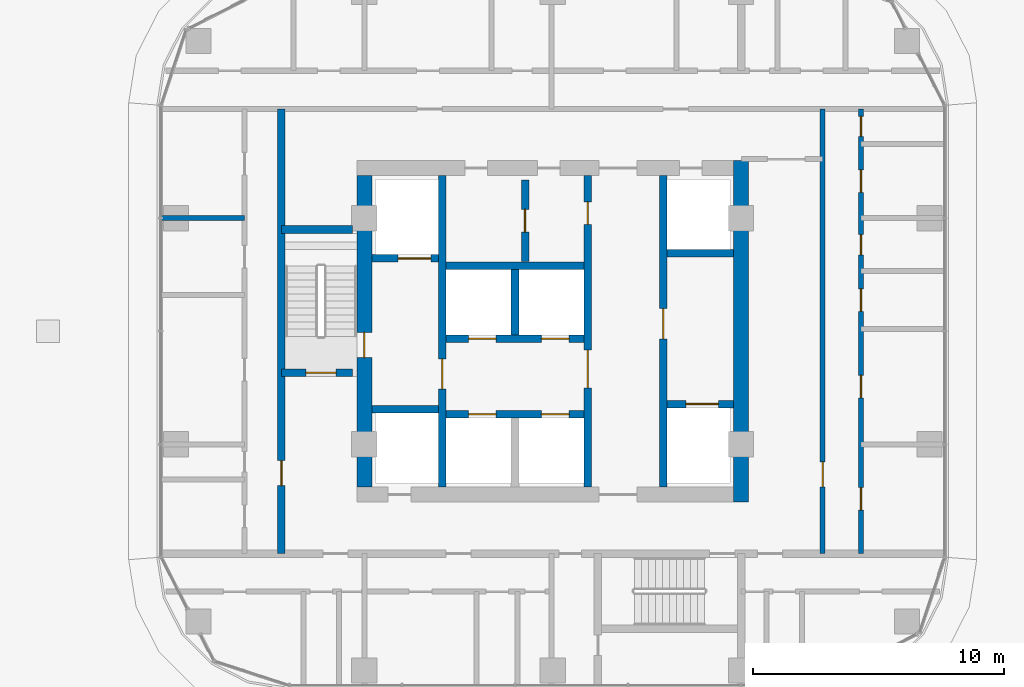
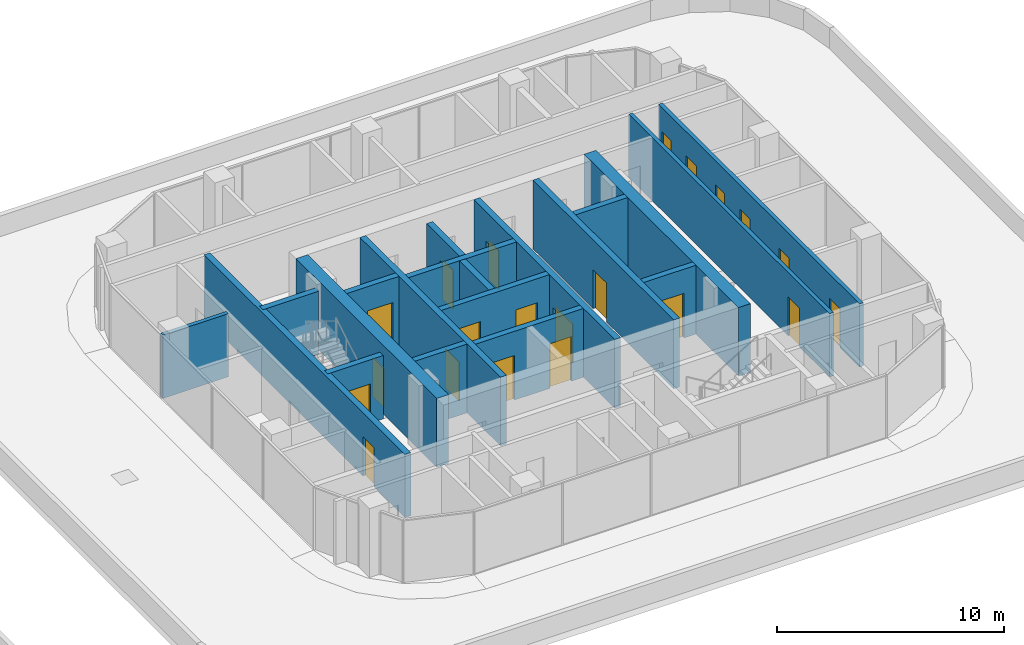
# One storey, part 30 of 51: 21 doors, 20 walls, 21 openings.
"""IFC4 building model written with IfcOpenShell, lengths in metres."""

from ifc_helpers import new_model, si_unit, direction, frame, frame_2d, origin, place, context, subcontext, project, spatial, rectangle, extrude, material, layer, layer_set, type_object, element, fill, save


model = new_model("IFC4")

# Units and contexts
model_context = context("Model", 3, precision=1e-05, world=origin(), true_north=direction((0.0, 1.0)))
body_context = subcontext(model_context, "Body", "Model", "MODEL_VIEW")
ifc_project = project(units=[si_unit("LENGTHUNIT", "METRE"), si_unit("AREAUNIT", "SQUARE_METRE"), si_unit("VOLUMEUNIT", "CUBIC_METRE"), si_unit("PLANEANGLEUNIT", "RADIAN"), si_unit("MASSUNIT", "GRAM", prefix="KILO")], contexts=[model_context])

# Site, building, storey
site_placement = place(None, origin())
site = spatial("IfcSite", under=ifc_project, at=site_placement, CompositionType="ELEMENT")
building_placement = place(site_placement, origin())
building = spatial("IfcBuilding", under=site, at=building_placement, Name="Ogive Portal Towers", CompositionType="ELEMENT")
storey_placement = place(building_placement, frame((0.0, 0.0, 33.5)))
storey = spatial("IfcBuildingStorey", under=building, at=storey_placement, Name="L06", CompositionType="ELEMENT", Elevation=33.5)

# Wall, opening, door
ifc_material_1 = material(Name="Concrete C60/75", Category="concrete")
ifc_layer_1 = layer(ifc_material_1, 0.300048828125)
ifc_layer_set_1 = layer_set([ifc_layer_1], Name="CORE WALL 300 C60")
wall_type_1 = type_object("IfcWallType", Name="CORE WALL 300 C60", PredefinedType="SHEAR", material=ifc_layer_set_1)
wall_1_placement = place(storey_placement, frame((132.10009765625, 24.800048828125, 0.0), z_axis=(0.0, 0.0, 1.0), x_axis=(0.0, 1.0, 0.0)))
wall_1 = element("IfcWall", 1, at=wall_1_placement, inside=storey, type_object=wall_type_1, Name="Tower B core wall BX1 L06", PredefinedType="SHEAR", context=body_context, shape_type="SweptSolid", body=[
    extrude(rectangle(XDim=12.39990234375, YDim=0.300048828125, at=frame_2d((6.199951171875, 0.0))), origin(), (0.0, 0.0, 1.0), 3.699951171875),
])
opening_1_placement = place(wall_1_placement, frame((3.89990234375, 0.0, 0.0)))
opening_1 = element("IfcOpeningElement", 2, at=opening_1_placement, cuts=wall_1, Name="Opening B01-044", PredefinedType="OPENING", context=body_context, shape_type="SweptSolid", body=[
    extrude(rectangle(XDim=1.199951171875, YDim=2.10009765625, at=frame_2d((0.60009765625, 1.050048828125))), frame((0.0, 0.16015625, 0.0), z_axis=(0.0, -1.0, 0.0), x_axis=(1.0, 0.0, 0.0)), (0.0, 0.0, 1.0), 0.320068359375),
])
ifc_material_2 = material(Name="Steel fire door", Category="steel")
door_type_1 = type_object("IfcDoorType", Name="DT-SWING-1200x2100-FD90S", OperationType="SINGLE_SWING_LEFT", PredefinedType="DOOR", material=ifc_material_2)
door_1_placement = place(opening_1_placement, origin())
door_1 = element("IfcDoor", 3, at=door_1_placement, inside=storey, type_object=door_type_1, Name="Door B01-044", OperationType="SINGLE_SWING_LEFT", OverallHeight=2.10009765625, OverallWidth=1.199951171875, PredefinedType="DOOR", context=body_context, shape_type="SweptSolid", body=[
    extrude(rectangle(XDim=1.199951171875, YDim=2.10009765625, at=frame_2d((0.60009765625, 1.050048828125))), frame((0.0, 0.02490234375, 0.0), z_axis=(0.0, -1.0, 0.0), x_axis=(1.0, 0.0, 0.0)), (0.0, 0.0, 1.0), 0.050048828125),
])
fill(opening_1, door_1)

# Wall, openings, doors
wall_2_placement = place(storey_placement, frame((137.89990234375, 24.800048828125, 0.0), z_axis=(0.0, 0.0, 1.0), x_axis=(0.0, 1.0, 0.0)))
wall_2 = element("IfcWall", 4, at=wall_2_placement, inside=storey, type_object=wall_type_1, Name="Tower B core wall BX2 L06", PredefinedType="SHEAR", context=body_context, shape_type="SweptSolid", body=[
    extrude(rectangle(XDim=12.39990234375, YDim=0.300048828125, at=frame_2d((6.199951171875, 0.0))), origin(), (0.0, 0.0, 1.0), 3.699951171875),
])
opening_2_placement = place(wall_2_placement, frame((3.949951171875, 0.0, 0.0)))
opening_2 = element("IfcOpeningElement", 5, at=opening_2_placement, cuts=wall_2, Name="Opening B01-043", PredefinedType="OPENING", context=body_context, shape_type="SweptSolid", body=[
    extrude(rectangle(XDim=1.5, YDim=2.10009765625, at=frame_2d((0.75, 1.050048828125))), frame((0.0, 0.16015625, 0.0), z_axis=(0.0, -1.0, 0.0), x_axis=(1.0, 0.0, 0.0)), (0.0, 0.0, 1.0), 0.320068359375),
])
opening_3_placement = place(wall_2_placement, frame((10.449951171875, 0.0, 0.0)))
opening_3 = element("IfcOpeningElement", 6, at=opening_3_placement, cuts=wall_2, Name="Opening B01-059", PredefinedType="OPENING", context=body_context, shape_type="SweptSolid", body=[
    extrude(rectangle(XDim=0.89990234375, YDim=2.10009765625, at=frame_2d((0.449951171875, 1.050048828125))), frame((0.0, 0.16015625, 0.0), z_axis=(0.0, -1.0, 0.0), x_axis=(1.0, 0.0, 0.0)), (0.0, 0.0, 1.0), 0.320068359375),
])
door_type_2 = type_object("IfcDoorType", Name="DT-SWING-1500x2100-FD90S", OperationType="SINGLE_SWING_LEFT", PredefinedType="DOOR", material=ifc_material_2)
door_2_placement = place(opening_2_placement, origin())
door_2 = element("IfcDoor", 7, at=door_2_placement, inside=storey, type_object=door_type_2, Name="Door B01-043", OperationType="SINGLE_SWING_RIGHT", OverallHeight=2.10009765625, OverallWidth=1.5, PredefinedType="DOOR", context=body_context, shape_type="SweptSolid", body=[
    extrude(rectangle(XDim=1.5, YDim=2.10009765625, at=frame_2d((0.75, 1.050048828125))), frame((0.0, 0.02490234375, 0.0), z_axis=(0.0, -1.0, 0.0), x_axis=(1.0, 0.0, 0.0)), (0.0, 0.0, 1.0), 0.050048828125),
])
fill(opening_2, door_2)
door_type_3 = type_object("IfcDoorType", Name="DT-SWING-900x2100-FD90S", OperationType="SINGLE_SWING_LEFT", PredefinedType="DOOR", material=ifc_material_2)
door_3_placement = place(opening_3_placement, origin())
door_3 = element("IfcDoor", 8, at=door_3_placement, inside=storey, type_object=door_type_3, Name="Door B01-059", OperationType="SINGLE_SWING_RIGHT", OverallHeight=2.10009765625, OverallWidth=0.89990234375, PredefinedType="DOOR", context=body_context, shape_type="SweptSolid", body=[
    extrude(rectangle(XDim=0.89990234375, YDim=2.10009765625, at=frame_2d((0.449951171875, 1.050048828125))), frame((0.0, 0.02490234375, 0.0), z_axis=(0.0, -1.0, 0.0), x_axis=(1.0, 0.0, 0.0)), (0.0, 0.0, 1.0), 0.050048828125),
])
fill(opening_3, door_3)

# Wall, opening, door
wall_3_placement = place(storey_placement, frame((140.89990234375, 24.800048828125, 0.0), z_axis=(0.0, 0.0, 1.0), x_axis=(0.0, 1.0, 0.0)))
wall_3 = element("IfcWall", 9, at=wall_3_placement, inside=storey, type_object=wall_type_1, Name="Tower B core wall BX3 L06", PredefinedType="SHEAR", context=body_context, shape_type="SweptSolid", body=[
    extrude(rectangle(XDim=12.39990234375, YDim=0.300048828125, at=frame_2d((6.199951171875, 0.0))), origin(), (0.0, 0.0, 1.0), 3.699951171875),
])
opening_4_placement = place(wall_3_placement, frame((5.89990234375, 0.0, 0.0)))
opening_4 = element("IfcOpeningElement", 10, at=opening_4_placement, cuts=wall_3, Name="Opening B01-045", PredefinedType="OPENING", context=body_context, shape_type="SweptSolid", body=[
    extrude(rectangle(XDim=1.199951171875, YDim=2.10009765625, at=frame_2d((0.60009765625, 1.050048828125))), frame((0.0, 0.16015625, 0.0), z_axis=(0.0, -1.0, 0.0), x_axis=(1.0, 0.0, 0.0)), (0.0, 0.0, 1.0), 0.320068359375),
])
door_4_placement = place(opening_4_placement, origin())
door_4 = element("IfcDoor", 11, at=door_4_placement, inside=storey, type_object=door_type_1, Name="Door B01-045", OperationType="SINGLE_SWING_RIGHT", OverallHeight=2.10009765625, OverallWidth=1.199951171875, PredefinedType="DOOR", context=body_context, shape_type="SweptSolid", body=[
    extrude(rectangle(XDim=1.199951171875, YDim=2.10009765625, at=frame_2d((0.60009765625, 1.050048828125))), frame((0.0, 0.02490234375, 0.0), z_axis=(0.0, -1.0, 0.0), x_axis=(1.0, 0.0, 0.0)), (0.0, 0.0, 1.0), 0.050048828125),
])
fill(opening_4, door_4)

# Wall
wall_4_placement = place(storey_placement, frame((135.0, 30.85009765625, 0.0), z_axis=(0.0, 0.0, 1.0), x_axis=(0.0, 1.0, 0.0)))
element("IfcWall", 12, at=wall_4_placement, inside=storey, type_object=wall_type_1, Name="Tower B core wall BX5 L06", PredefinedType="SHEAR", context=body_context, shape_type="SweptSolid", body=[
    extrude(rectangle(XDim=2.599853515625, YDim=0.300048828125, at=frame_2d((1.2998046875, 0.0))), origin(), (0.0, 0.0, 1.0), 3.699951171875),
])

# Wall, openings, doors
wall_5_placement = place(storey_placement, frame((132.25, 27.699951171875, 0.0), z_axis=(0.0, 0.0, 1.0), x_axis=(1.0, 0.0, 0.0)))
wall_5 = element("IfcWall", 13, at=wall_5_placement, inside=storey, type_object=wall_type_1, Name="Tower B core wall BY1 L06", PredefinedType="SHEAR", context=body_context, shape_type="SweptSolid", body=[
    extrude(rectangle(XDim=5.5, YDim=0.300048828125, at=frame_2d((2.75, 0.0))), origin(), (0.0, 0.0, 1.0), 3.699951171875),
])
opening_5_placement = place(wall_5_placement, frame((0.89990234375, 0.0, 0.0)))
opening_5 = element("IfcOpeningElement", 14, at=opening_5_placement, cuts=wall_5, Name="Opening B01-051", PredefinedType="OPENING", context=body_context, shape_type="SweptSolid", body=[
    extrude(rectangle(XDim=1.10009765625, YDim=2.39990234375, at=frame_2d((0.550048828125, 1.199951171875))), frame((0.0, 0.16015625, 0.0), z_axis=(0.0, -1.0, 0.0), x_axis=(1.0, 0.0, 0.0)), (0.0, 0.0, 1.0), 0.320068359375),
])
opening_6_placement = place(wall_5_placement, frame((3.800048828125, 0.0, 0.0)))
opening_6 = element("IfcOpeningElement", 15, at=opening_6_placement, cuts=wall_5, Name="Opening B01-052", PredefinedType="OPENING", context=body_context, shape_type="SweptSolid", body=[
    extrude(rectangle(XDim=1.10009765625, YDim=2.39990234375, at=frame_2d((0.550048828125, 1.199951171875))), frame((0.0, 0.16015625, 0.0), z_axis=(0.0, -1.0, 0.0), x_axis=(1.0, 0.0, 0.0)), (0.0, 0.0, 1.0), 0.320068359375),
])
ifc_material_3 = material(Name="Stainless steel", Category="steel")
door_type_4 = type_object("IfcDoorType", Name="DT-LD-1100x2400", OperationType="SLIDING_TO_LEFT", PredefinedType="DOOR", material=ifc_material_3)
door_5_placement = place(opening_5_placement, origin())
door_5 = element("IfcDoor", 16, at=door_5_placement, inside=storey, type_object=door_type_4, Name="Door B01-051", OperationType="SLIDING_TO_LEFT", OverallHeight=2.39990234375, OverallWidth=1.10009765625, PredefinedType="DOOR", context=body_context, shape_type="SweptSolid", body=[
    extrude(rectangle(XDim=1.10009765625, YDim=2.39990234375, at=frame_2d((0.550048828125, 1.199951171875))), frame((0.0, 0.02490234375, 0.0), z_axis=(0.0, -1.0, 0.0), x_axis=(1.0, 0.0, 0.0)), (0.0, 0.0, 1.0), 0.050048828125),
])
fill(opening_5, door_5)
door_6_placement = place(opening_6_placement, origin())
door_6 = element("IfcDoor", 17, at=door_6_placement, inside=storey, type_object=door_type_4, Name="Door B01-052", OperationType="SLIDING_TO_LEFT", OverallHeight=2.39990234375, OverallWidth=1.10009765625, PredefinedType="DOOR", context=body_context, shape_type="SweptSolid", body=[
    extrude(rectangle(XDim=1.10009765625, YDim=2.39990234375, at=frame_2d((0.550048828125, 1.199951171875))), frame((0.0, 0.02490234375, 0.0), z_axis=(0.0, -1.0, 0.0), x_axis=(1.0, 0.0, 0.0)), (0.0, 0.0, 1.0), 0.050048828125),
])
fill(opening_6, door_6)

wall_6_placement = place(storey_placement, frame((132.25, 30.699951171875, 0.0), z_axis=(0.0, 0.0, 1.0), x_axis=(1.0, 0.0, 0.0)))
wall_6 = element("IfcWall", 18, at=wall_6_placement, inside=storey, type_object=wall_type_1, Name="Tower B core wall BY2 L06", PredefinedType="SHEAR", context=body_context, shape_type="SweptSolid", body=[
    extrude(rectangle(XDim=5.5, YDim=0.300048828125, at=frame_2d((2.75, 0.0))), origin(), (0.0, 0.0, 1.0), 3.699951171875),
])
opening_7_placement = place(wall_6_placement, frame((0.89990234375, 0.0, 0.0)))
opening_7 = element("IfcOpeningElement", 19, at=opening_7_placement, cuts=wall_6, Name="Opening B01-053", PredefinedType="OPENING", context=body_context, shape_type="SweptSolid", body=[
    extrude(rectangle(XDim=1.10009765625, YDim=2.39990234375, at=frame_2d((0.550048828125, 1.199951171875))), frame((0.0, 0.16015625, 0.0), z_axis=(0.0, -1.0, 0.0), x_axis=(1.0, 0.0, 0.0)), (0.0, 0.0, 1.0), 0.320068359375),
])
opening_8_placement = place(wall_6_placement, frame((3.800048828125, 0.0, 0.0)))
opening_8 = element("IfcOpeningElement", 20, at=opening_8_placement, cuts=wall_6, Name="Opening B01-054", PredefinedType="OPENING", context=body_context, shape_type="SweptSolid", body=[
    extrude(rectangle(XDim=1.10009765625, YDim=2.39990234375, at=frame_2d((0.550048828125, 1.199951171875))), frame((0.0, 0.16015625, 0.0), z_axis=(0.0, -1.0, 0.0), x_axis=(1.0, 0.0, 0.0)), (0.0, 0.0, 1.0), 0.320068359375),
])
door_7_placement = place(opening_7_placement, origin())
door_7 = element("IfcDoor", 21, at=door_7_placement, inside=storey, type_object=door_type_4, Name="Door B01-053", OperationType="SLIDING_TO_LEFT", OverallHeight=2.39990234375, OverallWidth=1.10009765625, PredefinedType="DOOR", context=body_context, shape_type="SweptSolid", body=[
    extrude(rectangle(XDim=1.10009765625, YDim=2.39990234375, at=frame_2d((0.550048828125, 1.199951171875))), frame((0.0, 0.02490234375, 0.0), z_axis=(0.0, -1.0, 0.0), x_axis=(1.0, 0.0, 0.0)), (0.0, 0.0, 1.0), 0.050048828125),
])
fill(opening_7, door_7)
door_8_placement = place(opening_8_placement, origin())
door_8 = element("IfcDoor", 22, at=door_8_placement, inside=storey, type_object=door_type_4, Name="Door B01-054", OperationType="SLIDING_TO_LEFT", OverallHeight=2.39990234375, OverallWidth=1.10009765625, PredefinedType="DOOR", context=body_context, shape_type="SweptSolid", body=[
    extrude(rectangle(XDim=1.10009765625, YDim=2.39990234375, at=frame_2d((0.550048828125, 1.199951171875))), frame((0.0, 0.02490234375, 0.0), z_axis=(0.0, -1.0, 0.0), x_axis=(1.0, 0.0, 0.0)), (0.0, 0.0, 1.0), 0.050048828125),
])
fill(opening_8, door_8)

# Walls
wall_7_placement = place(storey_placement, frame((132.25, 33.60009765625, 0.0), z_axis=(0.0, 0.0, 1.0), x_axis=(1.0, 0.0, 0.0)))
element("IfcWall", 23, at=wall_7_placement, inside=storey, type_object=wall_type_1, Name="Tower B core wall BY3 L06", PredefinedType="SHEAR", context=body_context, shape_type="SweptSolid", body=[
    extrude(rectangle(XDim=5.5, YDim=0.300048828125, at=frame_2d((2.75, 0.0))), origin(), (0.0, 0.0, 1.0), 3.699951171875),
])
wall_8_placement = place(storey_placement, frame((129.300048828125, 27.89990234375, 0.0), z_axis=(0.0, 0.0, 1.0), x_axis=(1.0, 0.0, 0.0)))
element("IfcWall", 24, at=wall_8_placement, inside=storey, type_object=wall_type_1, Name="Tower B core wall BY4 L06", PredefinedType="SHEAR", context=body_context, shape_type="SweptSolid", body=[
    extrude(rectangle(XDim=2.64990234375, YDim=0.300048828125, at=frame_2d((1.324951171875, 0.0))), origin(), (0.0, 0.0, 1.0), 3.699951171875),
])

# Wall, opening, door
wall_9_placement = place(storey_placement, frame((129.300048828125, 33.89990234375, 0.0), z_axis=(0.0, 0.0, 1.0), x_axis=(1.0, 0.0, 0.0)))
wall_9 = element("IfcWall", 25, at=wall_9_placement, inside=storey, type_object=wall_type_1, Name="Tower B core wall BY5 L06", PredefinedType="SHEAR", context=body_context, shape_type="SweptSolid", body=[
    extrude(rectangle(XDim=2.64990234375, YDim=0.300048828125, at=frame_2d((1.324951171875, 0.0))), origin(), (0.0, 0.0, 1.0), 3.699951171875),
])
opening_9_placement = place(wall_9_placement, frame((1.050048828125, 0.0, 0.0)))
opening_9 = element("IfcOpeningElement", 26, at=opening_9_placement, cuts=wall_9, Name="Opening B01-055", PredefinedType="OPENING", context=body_context, shape_type="SweptSolid", body=[
    extrude(rectangle(XDim=1.300048828125, YDim=2.39990234375, at=frame_2d((0.64990234375, 1.199951171875))), frame((0.0, 0.16015625, 0.0), z_axis=(0.0, -1.0, 0.0), x_axis=(1.0, 0.0, 0.0)), (0.0, 0.0, 1.0), 0.320068359375),
])
door_type_5 = type_object("IfcDoorType", Name="DT-LD-1300x2400", OperationType="SLIDING_TO_LEFT", PredefinedType="DOOR", material=ifc_material_3)
door_9_placement = place(opening_9_placement, origin())
door_9 = element("IfcDoor", 27, at=door_9_placement, inside=storey, type_object=door_type_5, Name="Door B01-055", OperationType="SLIDING_TO_LEFT", OverallHeight=2.39990234375, OverallWidth=1.300048828125, PredefinedType="DOOR", context=body_context, shape_type="SweptSolid", body=[
    extrude(rectangle(XDim=1.300048828125, YDim=2.39990234375, at=frame_2d((0.64990234375, 1.199951171875))), frame((0.0, 0.02490234375, 0.0), z_axis=(0.0, -1.0, 0.0), x_axis=(1.0, 0.0, 0.0)), (0.0, 0.0, 1.0), 0.050048828125),
])
fill(opening_9, door_9)

wall_10_placement = place(storey_placement, frame((141.050048828125, 28.10009765625, 0.0), z_axis=(0.0, 0.0, 1.0), x_axis=(1.0, 0.0, 0.0)))
wall_10 = element("IfcWall", 28, at=wall_10_placement, inside=storey, type_object=wall_type_1, Name="Tower B core wall BY6 L06", PredefinedType="SHEAR", context=body_context, shape_type="SweptSolid", body=[
    extrude(rectangle(XDim=2.64990234375, YDim=0.300048828125, at=frame_2d((1.324951171875, 0.0))), origin(), (0.0, 0.0, 1.0), 3.699951171875),
])
opening_10_placement = place(wall_10_placement, frame((0.75, 0.0, 0.0)))
opening_10 = element("IfcOpeningElement", 29, at=opening_10_placement, cuts=wall_10, Name="Opening B01-056", PredefinedType="OPENING", context=body_context, shape_type="SweptSolid", body=[
    extrude(rectangle(XDim=1.300048828125, YDim=2.39990234375, at=frame_2d((0.64990234375, 1.199951171875))), frame((0.0, 0.16015625, 0.0), z_axis=(0.0, -1.0, 0.0), x_axis=(1.0, 0.0, 0.0)), (0.0, 0.0, 1.0), 0.320068359375),
])
door_10_placement = place(opening_10_placement, origin())
door_10 = element("IfcDoor", 30, at=door_10_placement, inside=storey, type_object=door_type_5, Name="Door B01-056", OperationType="SLIDING_TO_LEFT", OverallHeight=2.39990234375, OverallWidth=1.300048828125, PredefinedType="DOOR", context=body_context, shape_type="SweptSolid", body=[
    extrude(rectangle(XDim=1.300048828125, YDim=2.39990234375, at=frame_2d((0.64990234375, 1.199951171875))), frame((0.0, 0.02490234375, 0.0), z_axis=(0.0, -1.0, 0.0), x_axis=(1.0, 0.0, 0.0)), (0.0, 0.0, 1.0), 0.050048828125),
])
fill(opening_10, door_10)

# Wall
wall_11_placement = place(storey_placement, frame((141.050048828125, 34.10009765625, 0.0), z_axis=(0.0, 0.0, 1.0), x_axis=(1.0, 0.0, 0.0)))
element("IfcWall", 31, at=wall_11_placement, inside=storey, type_object=wall_type_1, Name="Tower B core wall BY7 L06", PredefinedType="SHEAR", context=body_context, shape_type="SweptSolid", body=[
    extrude(rectangle(XDim=2.64990234375, YDim=0.300048828125, at=frame_2d((1.324951171875, 0.0))), origin(), (0.0, 0.0, 1.0), 3.699951171875),
])

# Wall, opening, door
ifc_layer_2 = layer(ifc_material_1, 0.60009765625)
ifc_layer_set_2 = layer_set([ifc_layer_2], Name="CORE WALL 600 C60")
wall_type_2 = type_object("IfcWallType", Name="CORE WALL 600 C60", PredefinedType="SHEAR", material=ifc_layer_set_2)
wall_12_placement = place(storey_placement, frame((129.0, 24.800048828125, 0.0), z_axis=(0.0, 0.0, 1.0), x_axis=(0.0, 1.0, 0.0)))
wall_12 = element("IfcWall", 32, at=wall_12_placement, inside=storey, type_object=wall_type_2, Name="Tower B core wall BW L06", PredefinedType="SHEAR", context=body_context, shape_type="SweptSolid", body=[
    extrude(rectangle(XDim=12.39990234375, YDim=0.60009765625, at=frame_2d((6.199951171875, 0.0))), origin(), (0.0, 0.0, 1.0), 3.699951171875),
])
opening_11_placement = place(wall_12_placement, frame((5.14990234375, 0.0, 0.0)))
opening_11 = element("IfcOpeningElement", 33, at=opening_11_placement, cuts=wall_12, Name="Opening B01-046", PredefinedType="OPENING", context=body_context, shape_type="SweptSolid", body=[
    extrude(rectangle(XDim=1.0, YDim=2.10009765625, at=frame_2d((0.5, 1.050048828125))), frame((0.0, 0.31005859375, 0.0), z_axis=(0.0, -1.0, 0.0), x_axis=(1.0, 0.0, 0.0)), (0.0, 0.0, 1.0), 0.6201171875),
])
door_type_6 = type_object("IfcDoorType", Name="DT-SWING-1000x2100-FD90S", OperationType="SINGLE_SWING_LEFT", PredefinedType="DOOR", material=ifc_material_2)
door_11_placement = place(opening_11_placement, origin())
door_11 = element("IfcDoor", 34, at=door_11_placement, inside=storey, type_object=door_type_6, Name="Door B01-046", OperationType="SINGLE_SWING_RIGHT", OverallHeight=2.10009765625, OverallWidth=1.0, PredefinedType="DOOR", context=body_context, shape_type="SweptSolid", body=[
    extrude(rectangle(XDim=1.0, YDim=2.10009765625, at=frame_2d((0.5, 1.050048828125))), frame((0.0, 0.02490234375, 0.0), z_axis=(0.0, -1.0, 0.0), x_axis=(1.0, 0.0, 0.0)), (0.0, 0.0, 1.0), 0.050048828125),
])
fill(opening_11, door_11)

# Wall
wall_13_placement = place(storey_placement, frame((144.0, 24.199951171875, 0.0), z_axis=(0.0, 0.0, 1.0), x_axis=(0.0, 1.0, 0.0)))
element("IfcWall", 35, at=wall_13_placement, inside=storey, type_object=wall_type_2, Name="Tower B core wall BE L06", PredefinedType="SHEAR", context=body_context, shape_type="SweptSolid", body=[
    extrude(rectangle(XDim=13.60009765625, YDim=0.60009765625, at=frame_2d((6.800048828125, 0.0))), origin(), (0.0, 0.0, 1.0), 3.699951171875),
])

# Wall, opening, door
ifc_material_4 = material(Name="Concrete C50/60", Category="concrete")
ifc_layer_3 = layer(ifc_material_4, 0.300048828125)
ifc_layer_set_3 = layer_set([ifc_layer_3], Name="STAIR WALL 300 C50")
wall_type_3 = type_object("IfcWallType", Name="STAIR WALL 300 C50", PredefinedType="SHEAR", material=ifc_layer_set_3)
wall_14_placement = place(storey_placement, frame((125.699951171875, 29.35009765625, 0.0), z_axis=(0.0, 0.0, 1.0), x_axis=(1.0, 0.0, 0.0)))
wall_14 = element("IfcWall", 36, at=wall_14_placement, inside=storey, type_object=wall_type_3, Name="Stair wall ST-B1 L06", PredefinedType="SHEAR", context=body_context, shape_type="SweptSolid", body=[
    extrude(rectangle(XDim=2.830078125, YDim=0.300048828125, at=frame_2d((1.4150390625, 0.0))), origin(), (0.0, 0.0, 1.0), 3.39990234375),
])
opening_12_placement = place(wall_14_placement, frame((0.97509765625, 0.0, 0.0)))
opening_12 = element("IfcOpeningElement", 37, at=opening_12_placement, cuts=wall_14, Name="Opening B01-002", PredefinedType="OPENING", context=body_context, shape_type="SweptSolid", body=[
    extrude(rectangle(XDim=1.199951171875, YDim=2.10009765625, at=frame_2d((0.60009765625, 1.050048828125))), frame((0.0, 0.16015625, 0.0), z_axis=(0.0, -1.0, 0.0), x_axis=(1.0, 0.0, 0.0)), (0.0, 0.0, 1.0), 0.320068359375),
])
door_12_placement = place(opening_12_placement, origin())
door_12 = element("IfcDoor", 38, at=door_12_placement, inside=storey, type_object=door_type_1, Name="Door B01-002", OperationType="SINGLE_SWING_RIGHT", OverallHeight=2.10009765625, OverallWidth=1.199951171875, PredefinedType="DOOR", context=body_context, shape_type="SweptSolid", body=[
    extrude(rectangle(XDim=1.199951171875, YDim=2.10009765625, at=frame_2d((0.60009765625, 1.050048828125))), frame((0.0, 0.02490234375, 0.0), z_axis=(0.0, -1.0, 0.0), x_axis=(1.0, 0.0, 0.0)), (0.0, 0.0, 1.0), 0.050048828125),
])
fill(opening_12, door_12)

# Wall
wall_15_placement = place(storey_placement, frame((125.699951171875, 35.050048828125, 0.0), z_axis=(0.0, 0.0, 1.0), x_axis=(1.0, 0.0, 0.0)))
element("IfcWall", 39, at=wall_15_placement, inside=storey, type_object=wall_type_3, Name="Stair wall ST-B1 L06", PredefinedType="SHEAR", context=body_context, shape_type="SweptSolid", body=[
    extrude(rectangle(XDim=2.830078125, YDim=0.300048828125, at=frame_2d((1.4150390625, 0.0))), origin(), (0.0, 0.0, 1.0), 3.39990234375),
])

# Wall, opening, door
wall_16_placement = place(storey_placement, frame((125.699951171875, 22.14990234375, 0.0), z_axis=(0.0, 0.0, 1.0), x_axis=(0.0, 1.0, 0.0)))
wall_16 = element("IfcWall", 40, at=wall_16_placement, inside=storey, type_object=wall_type_3, Name="Stair wall ST-B1 L06", PredefinedType="SHEAR", context=body_context, shape_type="SweptSolid", body=[
    extrude(rectangle(XDim=17.7001953125, YDim=0.300048828125, at=frame_2d((8.85009765625, 0.0))), origin(), (0.0, 0.0, 1.0), 3.39990234375),
])
opening_13_placement = place(wall_16_placement, frame((2.699951171875, 0.0, 0.0)))
opening_13 = element("IfcOpeningElement", 41, at=opening_13_placement, cuts=wall_16, Name="Opening B01-030", PredefinedType="OPENING", context=body_context, shape_type="SweptSolid", body=[
    extrude(rectangle(XDim=1.0, YDim=2.10009765625, at=frame_2d((0.5, 1.050048828125))), frame((0.0, 0.16015625, 0.0), z_axis=(0.0, -1.0, 0.0), x_axis=(1.0, 0.0, 0.0)), (0.0, 0.0, 1.0), 0.320068359375),
])
door_13_placement = place(opening_13_placement, origin())
door_13 = element("IfcDoor", 42, at=door_13_placement, inside=storey, type_object=door_type_6, Name="Door B01-030", OperationType="SINGLE_SWING_RIGHT", OverallHeight=2.10009765625, OverallWidth=1.0, PredefinedType="DOOR", context=body_context, shape_type="SweptSolid", body=[
    extrude(rectangle(XDim=1.0, YDim=2.10009765625, at=frame_2d((0.5, 1.050048828125))), frame((0.0, 0.02490234375, 0.0), z_axis=(0.0, -1.0, 0.0), x_axis=(1.0, 0.0, 0.0)), (0.0, 0.0, 1.0), 0.050048828125),
])
fill(opening_13, door_13)

# Wall
ifc_material_5 = material(Name="Gypsum board partition on steel studs", Category="steel")
ifc_layer_4 = layer(ifc_material_5, 0.199951171875)
ifc_layer_set_4 = layer_set([ifc_layer_4], Name="WT-PART-200-EI 60")
wall_type_4 = type_object("IfcWallType", Name="WT-PART-200-EI 60", PredefinedType="PARTITIONING", material=ifc_layer_set_4)
wall_17_placement = place(storey_placement, frame((120.889892578125, 35.5, 0.0), z_axis=(0.0, 0.0, 1.0), x_axis=(1.0, 0.0, 0.0)))
element("IfcWall", 43, at=wall_17_placement, inside=storey, type_object=wall_type_4, Name="Wall L06:w015", PredefinedType="PARTITIONING", context=body_context, shape_type="SweptSolid", body=[
    extrude(rectangle(XDim=3.340087890625, YDim=0.199951171875, at=frame_2d((1.669921875, 0.0))), origin(), (0.0, 0.0, 1.0), 3.39990234375),
])

# Wall, opening, door
wall_18_placement = place(storey_placement, frame((147.25, 22.14990234375, 0.0), z_axis=(0.0, 0.0, 1.0), x_axis=(0.0, 1.0, 0.0)))
wall_18 = element("IfcWall", 44, at=wall_18_placement, inside=storey, type_object=wall_type_4, Name="Wall L06:w046", PredefinedType="PARTITIONING", context=body_context, shape_type="SweptSolid", body=[
    extrude(rectangle(XDim=17.7001953125, YDim=0.199951171875, at=frame_2d((8.85009765625, 0.0))), origin(), (0.0, 0.0, 1.0), 3.39990234375),
])
opening_14_placement = place(wall_18_placement, frame((2.64990234375, 0.0, 0.0)))
opening_14 = element("IfcOpeningElement", 45, at=opening_14_placement, cuts=wall_18, Name="Opening B01-036", PredefinedType="OPENING", context=body_context, shape_type="SweptSolid", body=[
    extrude(rectangle(XDim=1.0, YDim=2.10009765625, at=frame_2d((0.5, 1.050048828125))), frame((0.0, 0.10986328125, 0.0), z_axis=(0.0, -1.0, 0.0), x_axis=(1.0, 0.0, 0.0)), (0.0, 0.0, 1.0), 0.219970703125),
])
door_type_7 = type_object("IfcDoorType", Name="DT-SWING-1000x2100-FD60S", OperationType="SINGLE_SWING_LEFT", PredefinedType="DOOR", material=ifc_material_2)
door_14_placement = place(opening_14_placement, origin())
door_14 = element("IfcDoor", 46, at=door_14_placement, inside=storey, type_object=door_type_7, Name="Door B01-036", OperationType="SINGLE_SWING_RIGHT", OverallHeight=2.10009765625, OverallWidth=1.0, PredefinedType="DOOR", context=body_context, shape_type="SweptSolid", body=[
    extrude(rectangle(XDim=1.0, YDim=2.10009765625, at=frame_2d((0.5, 1.050048828125))), frame((0.0, 0.02490234375, 0.0), z_axis=(0.0, -1.0, 0.0), x_axis=(1.0, 0.0, 0.0)), (0.0, 0.0, 1.0), 0.050048828125),
])
fill(opening_14, door_14)

# Wall, openings, doors
wall_19_placement = place(storey_placement, frame((148.77001953125, 22.14990234375, 0.0), z_axis=(0.0, 0.0, 1.0), x_axis=(0.0, 1.0, 0.0)))
wall_19 = element("IfcWall", 47, at=wall_19_placement, inside=storey, type_object=wall_type_4, Name="Wall L06:w048", PredefinedType="PARTITIONING", context=body_context, shape_type="SweptSolid", body=[
    extrude(rectangle(XDim=17.7001953125, YDim=0.199951171875, at=frame_2d((8.85009765625, 0.0))), origin(), (0.0, 0.0, 1.0), 3.39990234375),
])
opening_15_placement = place(wall_19_placement, frame((1.72509765625, 0.0, 0.0)))
opening_15 = element("IfcOpeningElement", 48, at=opening_15_placement, cuts=wall_19, Name="Opening B01-037", PredefinedType="OPENING", context=body_context, shape_type="SweptSolid", body=[
    extrude(rectangle(XDim=0.89990234375, YDim=2.10009765625, at=frame_2d((0.449951171875, 1.050048828125))), frame((0.0, 0.10986328125, 0.0), z_axis=(0.0, -1.0, 0.0), x_axis=(1.0, 0.0, 0.0)), (0.0, 0.0, 1.0), 0.219970703125),
])
opening_16_placement = place(wall_19_placement, frame((6.195068359375, 0.0, 0.0)))
opening_16 = element("IfcOpeningElement", 49, at=opening_16_placement, cuts=wall_19, Name="Opening B01-038", PredefinedType="OPENING", context=body_context, shape_type="SweptSolid", body=[
    extrude(rectangle(XDim=0.89990234375, YDim=2.10009765625, at=frame_2d((0.449951171875, 1.050048828125))), frame((0.0, 0.10986328125, 0.0), z_axis=(0.0, -1.0, 0.0), x_axis=(1.0, 0.0, 0.0)), (0.0, 0.0, 1.0), 0.219970703125),
])
opening_17_placement = place(wall_19_placement, frame((9.64111328125, 0.0, 0.0)))
opening_17 = element("IfcOpeningElement", 50, at=opening_17_placement, cuts=wall_19, Name="Opening B01-039", PredefinedType="OPENING", context=body_context, shape_type="SweptSolid", body=[
    extrude(rectangle(XDim=0.89990234375, YDim=2.10009765625, at=frame_2d((0.449951171875, 1.050048828125))), frame((0.0, 0.10986328125, 0.0), z_axis=(0.0, -1.0, 0.0), x_axis=(1.0, 0.0, 0.0)), (0.0, 0.0, 1.0), 0.219970703125),
])
opening_18_placement = place(wall_19_placement, frame((11.89501953125, 0.0, 0.0)))
opening_18 = element("IfcOpeningElement", 51, at=opening_18_placement, cuts=wall_19, Name="Opening B01-040", PredefinedType="OPENING", context=body_context, shape_type="SweptSolid", body=[
    extrude(rectangle(XDim=0.800048828125, YDim=2.10009765625, at=frame_2d((0.39990234375, 1.050048828125))), frame((0.0, 0.10986328125, 0.0), z_axis=(0.0, -1.0, 0.0), x_axis=(1.0, 0.0, 0.0)), (0.0, 0.0, 1.0), 0.219970703125),
])
opening_19_placement = place(wall_19_placement, frame((14.3779296875, 0.0, 0.0)))
opening_19 = element("IfcOpeningElement", 52, at=opening_19_placement, cuts=wall_19, Name="Opening B01-041", PredefinedType="OPENING", context=body_context, shape_type="SweptSolid", body=[
    extrude(rectangle(XDim=0.89990234375, YDim=2.10009765625, at=frame_2d((0.449951171875, 1.050048828125))), frame((0.0, 0.10986328125, 0.0), z_axis=(0.0, -1.0, 0.0), x_axis=(1.0, 0.0, 0.0)), (0.0, 0.0, 1.0), 0.219970703125),
])
opening_20_placement = place(wall_19_placement, frame((16.60302734375, 0.0, 0.0)))
opening_20 = element("IfcOpeningElement", 53, at=opening_20_placement, cuts=wall_19, Name="Opening B01-042", PredefinedType="OPENING", context=body_context, shape_type="SweptSolid", body=[
    extrude(rectangle(XDim=0.800048828125, YDim=2.10009765625, at=frame_2d((0.39990234375, 1.050048828125))), frame((0.0, 0.10986328125, 0.0), z_axis=(0.0, -1.0, 0.0), x_axis=(1.0, 0.0, 0.0)), (0.0, 0.0, 1.0), 0.219970703125),
])
door_type_8 = type_object("IfcDoorType", Name="DT-SWING-800x2100-FD60S", OperationType="SINGLE_SWING_LEFT", PredefinedType="DOOR", material=ifc_material_2)
door_15_placement = place(opening_18_placement, origin())
door_15 = element("IfcDoor", 54, at=door_15_placement, inside=storey, type_object=door_type_8, Name="Door B01-040", OperationType="SINGLE_SWING_RIGHT", OverallHeight=2.10009765625, OverallWidth=0.800048828125, PredefinedType="DOOR", context=body_context, shape_type="SweptSolid", body=[
    extrude(rectangle(XDim=0.800048828125, YDim=2.10009765625, at=frame_2d((0.39990234375, 1.050048828125))), frame((0.0, 0.02490234375, 0.0), z_axis=(0.0, -1.0, 0.0), x_axis=(1.0, 0.0, 0.0)), (0.0, 0.0, 1.0), 0.050048828125),
])
fill(opening_18, door_15)
door_16_placement = place(opening_20_placement, origin())
door_16 = element("IfcDoor", 55, at=door_16_placement, inside=storey, type_object=door_type_8, Name="Door B01-042", OperationType="SINGLE_SWING_RIGHT", OverallHeight=2.10009765625, OverallWidth=0.800048828125, PredefinedType="DOOR", context=body_context, shape_type="SweptSolid", body=[
    extrude(rectangle(XDim=0.800048828125, YDim=2.10009765625, at=frame_2d((0.39990234375, 1.050048828125))), frame((0.0, 0.02490234375, 0.0), z_axis=(0.0, -1.0, 0.0), x_axis=(1.0, 0.0, 0.0)), (0.0, 0.0, 1.0), 0.050048828125),
])
fill(opening_20, door_16)
door_type_9 = type_object("IfcDoorType", Name="DT-SWING-900x2100-FD60S", OperationType="SINGLE_SWING_LEFT", PredefinedType="DOOR", material=ifc_material_2)
door_17_placement = place(opening_15_placement, origin())
door_17 = element("IfcDoor", 56, at=door_17_placement, inside=storey, type_object=door_type_9, Name="Door B01-037", OperationType="SINGLE_SWING_LEFT", OverallHeight=2.10009765625, OverallWidth=0.89990234375, PredefinedType="DOOR", context=body_context, shape_type="SweptSolid", body=[
    extrude(rectangle(XDim=0.89990234375, YDim=2.10009765625, at=frame_2d((0.449951171875, 1.050048828125))), frame((0.0, 0.02490234375, 0.0), z_axis=(0.0, -1.0, 0.0), x_axis=(1.0, 0.0, 0.0)), (0.0, 0.0, 1.0), 0.050048828125),
])
fill(opening_15, door_17)
door_18_placement = place(opening_16_placement, origin())
door_18 = element("IfcDoor", 57, at=door_18_placement, inside=storey, type_object=door_type_9, Name="Door B01-038", OperationType="SINGLE_SWING_RIGHT", OverallHeight=2.10009765625, OverallWidth=0.89990234375, PredefinedType="DOOR", context=body_context, shape_type="SweptSolid", body=[
    extrude(rectangle(XDim=0.89990234375, YDim=2.10009765625, at=frame_2d((0.449951171875, 1.050048828125))), frame((0.0, 0.02490234375, 0.0), z_axis=(0.0, -1.0, 0.0), x_axis=(1.0, 0.0, 0.0)), (0.0, 0.0, 1.0), 0.050048828125),
])
fill(opening_16, door_18)
door_19_placement = place(opening_17_placement, origin())
door_19 = element("IfcDoor", 58, at=door_19_placement, inside=storey, type_object=door_type_9, Name="Door B01-039", OperationType="SINGLE_SWING_LEFT", OverallHeight=2.10009765625, OverallWidth=0.89990234375, PredefinedType="DOOR", context=body_context, shape_type="SweptSolid", body=[
    extrude(rectangle(XDim=0.89990234375, YDim=2.10009765625, at=frame_2d((0.449951171875, 1.050048828125))), frame((0.0, 0.02490234375, 0.0), z_axis=(0.0, -1.0, 0.0), x_axis=(1.0, 0.0, 0.0)), (0.0, 0.0, 1.0), 0.050048828125),
])
fill(opening_17, door_19)
door_20_placement = place(opening_19_placement, origin())
door_20 = element("IfcDoor", 59, at=door_20_placement, inside=storey, type_object=door_type_9, Name="Door B01-041", OperationType="SINGLE_SWING_LEFT", OverallHeight=2.10009765625, OverallWidth=0.89990234375, PredefinedType="DOOR", context=body_context, shape_type="SweptSolid", body=[
    extrude(rectangle(XDim=0.89990234375, YDim=2.10009765625, at=frame_2d((0.449951171875, 1.050048828125))), frame((0.0, 0.02490234375, 0.0), z_axis=(0.0, -1.0, 0.0), x_axis=(1.0, 0.0, 0.0)), (0.0, 0.0, 1.0), 0.050048828125),
])
fill(opening_19, door_20)

# Wall, opening, door
ifc_layer_5 = layer(ifc_material_5, 0.300048828125)
ifc_layer_set_5 = layer_set([ifc_layer_5], Name="WT-PART-300-EI 60")
wall_type_5 = type_object("IfcWallType", Name="WT-PART-300-EI 60", PredefinedType="PARTITIONING", material=ifc_layer_set_5)
wall_20_placement = place(storey_placement, frame((135.39990234375, 33.77001953125, 0.0), z_axis=(0.0, 0.0, 1.0), x_axis=(0.0, 1.0, 0.0)))
wall_20 = element("IfcWall", 60, at=wall_20_placement, inside=storey, type_object=wall_type_5, Name="Wall L06:w034", PredefinedType="PARTITIONING", context=body_context, shape_type="SweptSolid", body=[
    extrude(rectangle(XDim=3.260009765625, YDim=0.300048828125, at=frame_2d((1.6298828125, 0.0))), origin(), (0.0, 0.0, 1.0), 3.39990234375),
])
opening_21_placement = place(wall_20_placement, frame((1.179931640625, 0.0, 0.0)))
opening_21 = element("IfcOpeningElement", 61, at=opening_21_placement, cuts=wall_20, Name="Opening B01-004", PredefinedType="OPENING", context=body_context, shape_type="SweptSolid", body=[
    extrude(rectangle(XDim=0.89990234375, YDim=2.10009765625, at=frame_2d((0.449951171875, 1.050048828125))), frame((0.0, 0.16015625, 0.0), z_axis=(0.0, -1.0, 0.0), x_axis=(1.0, 0.0, 0.0)), (0.0, 0.0, 1.0), 0.320068359375),
])
door_21_placement = place(opening_21_placement, origin())
door_21 = element("IfcDoor", 62, at=door_21_placement, inside=storey, type_object=door_type_9, Name="Door B01-004", OperationType="SINGLE_SWING_RIGHT", OverallHeight=2.10009765625, OverallWidth=0.89990234375, PredefinedType="DOOR", context=body_context, shape_type="SweptSolid", body=[
    extrude(rectangle(XDim=0.89990234375, YDim=2.10009765625, at=frame_2d((0.449951171875, 1.050048828125))), frame((0.0, 0.02490234375, 0.0), z_axis=(0.0, -1.0, 0.0), x_axis=(1.0, 0.0, 0.0)), (0.0, 0.0, 1.0), 0.050048828125),
])
fill(opening_21, door_21)

save(model, "model.ifc")
